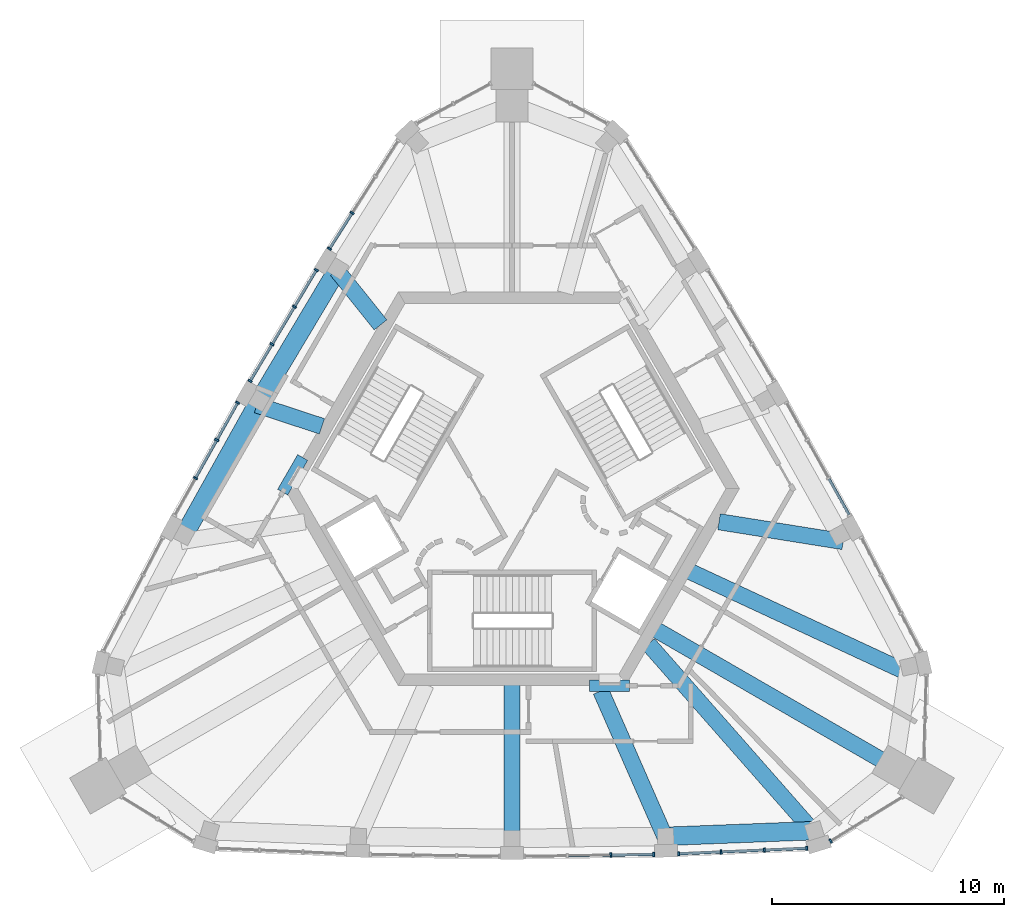
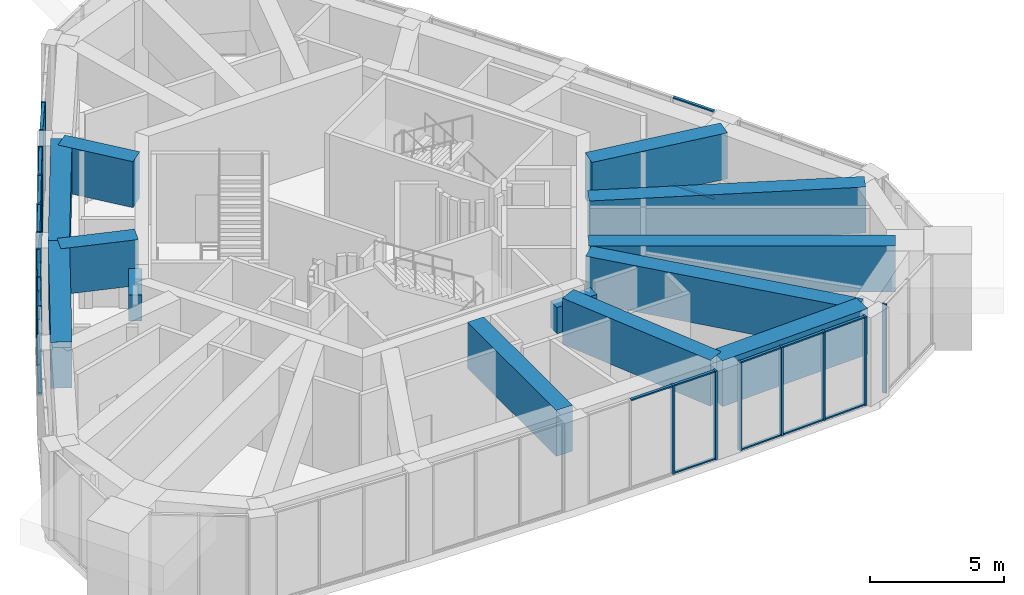
# One storey, part 3 of 11: 39 members, 13 beams, 7 elements without a shape of their own.
"""IFC4 building model written with IfcOpenShell, lengths in metres."""

import ifcopenshell
import ifcopenshell.guid

model = None  # the IFC model being written
_history = None  # IfcOwnerHistory: only IFC2X3 demands one
_inside = {}  # id of a spatial element -> (the spatial element, [elements in it])
_under = {}  # id of a project, library or spatial element -> (it, [spatial elements below it])
_declared = {}  # id of a project -> (the project, [libraries it declares])
_typed = {}  # id of a type object -> (the type object, [elements of that type])
_made_of = {}  # id of a material, layer set ... -> (it, [elements and type objects made of it])


def new_model(schema):
    """Start an empty IFC model of exactly this schema.

    Asked for "IFC4X3", IfcOpenShell would pick the latest addendum, in which some entities
    have other attributes; the version numbers below select the first issue.
    IFC2X3 requires an IfcOwnerHistory on every rooted entity: one is made here for all.
    """
    global model, _history
    if schema == "IFC4X3":
        model = ifcopenshell.file(schema_version=(4, 3, 0, 0))
    else:
        model = ifcopenshell.file(schema=schema)
    _inside.clear()
    _under.clear()
    _declared.clear()
    _typed.clear()
    _made_of.clear()
    _history = None
    if model.schema == "IFC2X3":
        org = make("IfcOrganization", Name="unknown")
        user = make(
            "IfcPersonAndOrganization",
            ThePerson=make("IfcPerson", FamilyName="unknown"),
            TheOrganization=org,
        )
        app = make(
            "IfcApplication",
            ApplicationDeveloper=org,
            Version="unknown",
            ApplicationFullName="unknown",
            ApplicationIdentifier="unknown",
        )
        _history = make(
            "IfcOwnerHistory",
            OwningUser=user,
            OwningApplication=app,
            ChangeAction="ADDED",
            CreationDate=0,
        )
    return model


def make(cls, **values):
    """One entity of the class cls with the attributes given. An attribute that is None is left unset."""
    return model.create_entity(
        cls, **{name: value for name, value in values.items() if value is not None}
    )


def rooted(cls, **values):
    """An entity with a GlobalId (a new one), such as an element, a storey or a relation."""
    return make(cls, GlobalId=ifcopenshell.guid.new(), OwnerHistory=_history, **values)


def si_unit(unit_type, name, prefix=None):
    """IfcSIUnit, for example si_unit("LENGTHUNIT", "METRE", prefix="MILLI")."""
    return make("IfcSIUnit", UnitType=unit_type, Prefix=prefix, Name=name)


def assignment(units):
    """IfcUnitAssignment: the units of a project."""
    return None if units is None else make("IfcUnitAssignment", Units=units)


def point(xyz):
    """IfcCartesianPoint."""
    return None if xyz is None else make("IfcCartesianPoint", Coordinates=xyz)


def direction(xyz):
    """IfcDirection."""
    return None if xyz is None else make("IfcDirection", DirectionRatios=xyz)


def frame(location, z_axis=None, x_axis=None):
    """IfcAxis2Placement3D, a coordinate frame: its origin and axes. An axis left out is left unset."""
    return make(
        "IfcAxis2Placement3D",
        Location=point(location),
        Axis=direction(z_axis),
        RefDirection=direction(x_axis),
    )


def frame_2d(location, x_axis=None):
    """IfcAxis2Placement2D, a coordinate frame in the plane: its origin and x axis."""
    return make(
        "IfcAxis2Placement2D", Location=point(location), RefDirection=direction(x_axis)
    )


def origin():
    """The frame at (0, 0, 0) with its axes left unset."""
    return frame((0.0, 0.0, 0.0))


def origin_2d():
    """The frame at (0, 0) in the plane with its x axis left unset."""
    return frame_2d((0.0, 0.0))


def place(relative_to, where):
    """IfcLocalPlacement: puts the frame where relative to a parent placement (None: the world)."""
    return make(
        "IfcLocalPlacement", PlacementRelTo=relative_to, RelativePlacement=where
    )


def context(
    kind, dimensions, precision=None, world=None, true_north=None, identifier=None
):
    """IfcGeometricRepresentationContext, for example the 3D "Model" context."""
    return make(
        "IfcGeometricRepresentationContext",
        ContextIdentifier=identifier,
        ContextType=kind,
        CoordinateSpaceDimension=dimensions,
        Precision=precision,
        WorldCoordinateSystem=world,
        TrueNorth=true_north,
    )


def subcontext(parent, identifier, kind, view, scale=None):
    """IfcGeometricRepresentationSubContext, for example "Body" below "Model"."""
    return make(
        "IfcGeometricRepresentationSubContext",
        ContextIdentifier=identifier,
        ContextType=kind,
        ParentContext=parent,
        TargetScale=scale,
        TargetView=view,
    )


def project(units=None, contexts=None):
    """IfcProject with its units and contexts."""
    return rooted(
        "IfcProject",
        Name="project",
        RepresentationContexts=contexts,
        UnitsInContext=assignment(units),
    )


def spatial(cls, under=None, at=None, **own):
    """A site, building, storey or space (cls), placed at a placement, below another one or the project."""
    s = rooted(cls, ObjectPlacement=at, **own)
    if under is not None:
        _under.setdefault(under.id(), (under, []))[1].append(s)
    return s


def profile(cls, at=None, kind="AREA", **sizes):
    """A parametric profile (cls). Its sizes go by their IFC names, for example OverallWidth=200.0."""
    return make(cls, ProfileType=kind, Position=at, **sizes)


def rectangle(**sizes):
    """IfcRectangleProfileDef."""
    return profile("IfcRectangleProfileDef", **sizes)


def extrude(swept, where, along, depth):
    """IfcExtrudedAreaSolid: the profile swept, set in the frame where, extruded along a direction by depth."""
    return make(
        "IfcExtrudedAreaSolid",
        SweptArea=swept,
        Position=where,
        ExtrudedDirection=direction(along),
        Depth=depth,
    )


def shape(context_of_items, identifier, shape_type, items):
    """IfcShapeRepresentation: the items that make up one representation, for example the "Body"."""
    return make(
        "IfcShapeRepresentation",
        ContextOfItems=context_of_items,
        RepresentationIdentifier=identifier,
        RepresentationType=shape_type,
        Items=items,
    )


def material(Name=None, Category=None):
    """IfcMaterial."""
    return make("IfcMaterial", Name=Name, Category=Category)


def material_profile(
    of_material, cross_section, Name=None, Category=None, Priority=None
):
    """IfcMaterialProfile: a cross section and its material."""
    return make(
        "IfcMaterialProfile",
        Name=Name,
        Material=of_material,
        Profile=cross_section,
        Priority=Priority,
        Category=Category,
    )


def profile_set(profiles, Name=None, composite=None):
    """IfcMaterialProfileSet."""
    return make(
        "IfcMaterialProfileSet",
        Name=Name,
        MaterialProfiles=profiles,
        CompositeProfile=composite,
    )


def made_of(thing, what):
    """Note that an element or type object is made of a material, layer set ...; save() writes the relation."""
    if what is not None:
        _made_of.setdefault(what.id(), (what, []))[1].append(thing)
    return thing


def type_object(cls, material=None, **own):
    """A type object (cls), such as IfcWallType, which elements share."""
    return made_of(rooted(cls, **own), material)


def element(
    cls,
    number,
    at=None,
    inside=None,
    cuts=None,
    type_object=None,
    material=None,
    context=None,
    identifier="Body",
    shape_type=None,
    held_by="IfcProductDefinitionShape",
    body=None,
    shapes=None,
    **own,
):
    """One element of the class cls, such as IfcWall. Its Tag is "e" and its number.

    at: its placement. inside: the storey or other place that contains it. cuts: it is an
    opening in that element (IfcRelVoidsElement). A single representation is given by context,
    identifier, shape_type and body (its items); several are given by shapes. held_by: the class
    of the entity that holds the representations. save() writes the other relations.
    """
    e = rooted(cls, Tag="e%d" % number, ObjectPlacement=at, **own)
    if body is not None:
        shapes = [shape(context, identifier, shape_type, body)]
    if shapes is not None:
        e.Representation = make(held_by, Representations=shapes)
    if inside is not None:
        _inside.setdefault(inside.id(), (inside, []))[1].append(e)
    if cuts is not None:
        rooted(
            "IfcRelVoidsElement", RelatingBuildingElement=cuts, RelatedOpeningElement=e
        )
    if type_object is not None:
        _typed.setdefault(type_object.id(), (type_object, []))[1].append(e)
    return made_of(e, material)


def aggregate(whole, parts):
    """IfcRelAggregates: a whole, such as a stair, and the parts it consists of."""
    return rooted("IfcRelAggregates", RelatingObject=whole, RelatedObjects=parts)


def save(model, path):
    """Write the relations noted so far, then the file.

    IfcRelAggregates (storeys below a building ...), IfcRelContainedInSpatialStructure (elements
    in a storey), IfcRelDefinesByType, IfcRelAssociatesMaterial and IfcRelDeclares: one each for
    every whole, place, type object, material and project.
    """
    for whole, parts in _under.values():
        aggregate(whole, parts)
    for where, things in _inside.values():
        rooted(
            "IfcRelContainedInSpatialStructure",
            RelatedElements=things,
            RelatingStructure=where,
        )
    for kind, things in _typed.values():
        rooted("IfcRelDefinesByType", RelatedObjects=things, RelatingType=kind)
    for what, things in _made_of.values():
        rooted("IfcRelAssociatesMaterial", RelatedObjects=things, RelatingMaterial=what)
    for by, libraries in _declared.values():
        rooted("IfcRelDeclares", RelatingContext=by, RelatedDefinitions=libraries)
    model.write(path)


model = new_model("IFC4")

# Units and contexts
model_context = context("Model", 3, precision=1e-05, world=origin(), true_north=direction((0.0, 1.0)))
body_context = subcontext(model_context, "Body", "Model", "MODEL_VIEW")
ifc_project = project(units=[si_unit("LENGTHUNIT", "METRE"), si_unit("AREAUNIT", "SQUARE_METRE"), si_unit("VOLUMEUNIT", "CUBIC_METRE"), si_unit("PLANEANGLEUNIT", "RADIAN"), si_unit("MASSUNIT", "GRAM", prefix="KILO")], contexts=[model_context])

# Site, building, storey
site_placement = place(None, origin())
site = spatial("IfcSite", under=ifc_project, at=site_placement, CompositionType="ELEMENT")
building_placement = place(site_placement, origin())
building = spatial("IfcBuilding", under=site, at=building_placement, Name="Entoto Arch Interchange Tower", CompositionType="ELEMENT")
storey_placement = place(building_placement, frame((0.0, 0.0, 353.89990234375)))
storey = spatial("IfcBuildingStorey", under=building, at=storey_placement, Name="L83", CompositionType="ELEMENT", Elevation=353.89990234375)

# Beams
ifc_material_1 = material(Name="Concrete C40/50", Category="concrete")
ifc_material_profile_1 = material_profile(ifc_material_1, rectangle(XDim=0.5, YDim=1.199951171875, at=origin_2d()))
ifc_profile_set_1 = profile_set([ifc_material_profile_1], Name="Concrete C40/50")
beam_type_1 = type_object("IfcBeamType", Name="Coupling beam RC 500x1200 C40/50", PredefinedType="BEAM", material=ifc_profile_set_1)
beam_1_placement = place(storey_placement, frame((-9.035888671875, 3.84912109375, 3.0), z_axis=(-0.500105721196, -0.865964357019, 0.0), x_axis=(0.865964357019, -0.500105721196, 0.0)))
element("IfcBeam", 1, at=beam_1_placement, inside=storey, type_object=beam_type_1, Name="Coupling beam NW L83", PredefinedType="BEAM", context=body_context, shape_type="SweptSolid", body=[
    extrude(rectangle(XDim=0.5, YDim=1.199951171875, at=origin_2d()), origin(), (0.0, 0.0, 1.0), 1.727783203125),
])
beam_2_placement = place(storey_placement, frame((3.35009765625, -6.0, 3.0), z_axis=(1.0, 0.0, 0.0), x_axis=(0.0, 1.0, 0.0)))
element("IfcBeam", 2, at=beam_2_placement, inside=storey, type_object=beam_type_1, Name="Coupling beam S L83", PredefinedType="BEAM", context=body_context, shape_type="SweptSolid", body=[
    extrude(rectangle(XDim=0.5, YDim=1.199951171875, at=origin_2d()), origin(), (0.0, 0.0, 1.0), 1.725830078125),
])
ifc_material_profile_2 = material_profile(ifc_material_1, rectangle(XDim=0.800048828125, YDim=2.10009765625, at=origin_2d()))
ifc_profile_set_2 = profile_set([ifc_material_profile_2], Name="Concrete C40/50")
beam_type_2 = type_object("IfcBeamType", Name="Crown ring girder RC 800x2100 C40/50", PredefinedType="BEAM", material=ifc_profile_set_2)
beam_3_placement = place(storey_placement, frame((6.634033203125, -12.506103515625, 3.0), z_axis=(0.999272354884, 0.038141326198, 0.0), x_axis=(-0.038141326198, 0.999272354884, 0.0)))
element("IfcBeam", 3, at=beam_3_placement, inside=storey, type_object=beam_type_2, Name="Crown ring girder 04 L83", PredefinedType="BEAM", context=body_context, shape_type="SweptSolid", body=[
    extrude(rectangle(XDim=0.800048828125, YDim=2.10009765625, at=origin_2d()), origin(), (0.0, 0.0, 1.0), 6.426513671875),
])
for number, where, z_axis, x_axis, name in (
    (4, (-7.511962890625, 12.0009765625, 3.0), (-0.512233087574, -0.85884647289, 0.0), (0.85884647289, -0.512233087574, 0.0), "Crown ring girder 14 L83"),
    (5, (-10.912109375, 6.300048828125, 3.0), (-0.487630923437, -0.87304987401, 0.0), (0.87304987401, -0.487630923437, 0.0), "Crown ring girder 15 L83"),
):
    element("IfcBeam", number, at=place(storey_placement, frame(where, z_axis=z_axis, x_axis=x_axis)), inside=storey, type_object=beam_type_2, Name=name, PredefinedType="BEAM", context=body_context, shape_type="SweptSolid", body=[
        extrude(rectangle(XDim=0.800048828125, YDim=2.10009765625, at=origin_2d()), origin(), (0.0, 0.0, 1.0), 6.637939453125),
    ])
ifc_material_profile_3 = material_profile(ifc_material_1, rectangle(XDim=0.699951171875, YDim=2.10009765625, at=origin_2d()))
ifc_profile_set_3 = profile_set([ifc_material_profile_3], Name="Concrete C40/50")
beam_type_3 = type_object("IfcBeamType", Name="Crown transfer beam RC 700x2100 C40/50", PredefinedType="BEAM", material=ifc_profile_set_3)
beam_4_placement = place(storey_placement, frame((0.0, -5.949951171875, 3.0), z_axis=(0.0, -1.0, 0.0), x_axis=(1.0, 0.0, 0.0)))
element("IfcBeam", 6, at=beam_4_placement, inside=storey, type_object=beam_type_3, Name="Transfer beam S03 L83", PredefinedType="BEAM", context=body_context, shape_type="SweptSolid", body=[
    extrude(rectangle(XDim=0.699951171875, YDim=2.10009765625, at=origin_2d()), origin(), (0.0, 0.0, 1.0), 6.650146484375),
])
beam_5_placement = place(storey_placement, frame((3.8349609375, -6.22900390625, 3.0), z_axis=(0.402094176994, -0.915598314124, 0.0), x_axis=(0.915598314124, 0.402094176994, 0.0)))
element("IfcBeam", 7, at=beam_5_placement, inside=storey, type_object=beam_type_3, Name="Transfer beam S04 L83", PredefinedType="BEAM", context=body_context, shape_type="SweptSolid", body=[
    extrude(rectangle(XDim=0.699951171875, YDim=2.10009765625, at=origin_2d()), origin(), (0.0, 0.0, 1.0), 6.856689453125),
])
beam_6_placement = place(storey_placement, frame((5.89111328125, -4.200927734375, 3.0), z_axis=(0.660232030784, -0.751061692225, 0.0), x_axis=(0.751061692225, 0.660232030784, 0.0)))
element("IfcBeam", 8, at=beam_6_placement, inside=storey, type_object=beam_type_3, Name="Transfer beam S05 L83", PredefinedType="BEAM", context=body_context, shape_type="SweptSolid", body=[
    extrude(rectangle(XDim=0.699951171875, YDim=2.10009765625, at=origin_2d()), origin(), (0.0, 0.0, 1.0), 10.7353515625),
])
beam_7_placement = place(storey_placement, frame((6.235107421875, -3.60009765625, 3.0), z_axis=(0.866009679343, -0.500027234542, 0.0), x_axis=(0.500027234542, 0.866009679343, 0.0)))
element("IfcBeam", 9, at=beam_7_placement, inside=storey, type_object=beam_type_3, Name="Transfer beam SE1 L83", PredefinedType="BEAM", context=body_context, shape_type="SweptSolid", body=[
    extrude(rectangle(XDim=0.699951171875, YDim=2.10009765625, at=origin_2d()), origin(), (0.0, 0.0, 1.0), 11.487060546875),
])
beam_8_placement = place(storey_placement, frame((7.69189453125, -1.076904296875, 3.0), z_axis=(0.906721321021, -0.42173030008, 0.0), x_axis=(0.42173030008, 0.906721321021, 0.0)))
element("IfcBeam", 10, at=beam_8_placement, inside=storey, type_object=beam_type_3, Name="Transfer beam NE01 L83", PredefinedType="BEAM", context=body_context, shape_type="SweptSolid", body=[
    extrude(rectangle(XDim=0.699951171875, YDim=2.10009765625, at=origin_2d()), origin(), (0.0, 0.0, 1.0), 10.38134765625),
])
beam_9_placement = place(storey_placement, frame((8.93798828125, 1.074951171875, 3.0), z_axis=(0.987520764966, -0.157488852813, 0.0), x_axis=(0.157488852813, 0.987520764966, 0.0)))
element("IfcBeam", 11, at=beam_9_placement, inside=storey, type_object=beam_type_3, Name="Transfer beam NE02 L83", PredefinedType="BEAM", context=body_context, shape_type="SweptSolid", body=[
    extrude(rectangle(XDim=0.699951171875, YDim=2.10009765625, at=origin_2d()), origin(), (0.0, 0.0, 1.0), 5.4287109375),
])
beam_10_placement = place(storey_placement, frame((-5.676025390625, 9.574951171875, 3.0), z_axis=(-0.62561453943, 0.780132327271, 0.0), x_axis=(-0.780132327271, -0.62561453943, 0.0)))
element("IfcBeam", 12, at=beam_10_placement, inside=storey, type_object=beam_type_3, Name="Transfer beam NW02 L83", PredefinedType="BEAM", context=body_context, shape_type="SweptSolid", body=[
    extrude(rectangle(XDim=0.699951171875, YDim=2.10009765625, at=origin_2d()), origin(), (0.0, 0.0, 1.0), 3.010009765625),
])
beam_11_placement = place(storey_placement, frame((-8.202880859375, 5.194091796875, 3.0), z_axis=(-0.950011473075, 0.312214991673, 0.0), x_axis=(-0.312214991673, -0.950011473075, 0.0)))
element("IfcBeam", 13, at=beam_11_placement, inside=storey, type_object=beam_type_3, Name="Transfer beam NW03 L83", PredefinedType="BEAM", context=body_context, shape_type="SweptSolid", body=[
    extrude(rectangle(XDim=0.699951171875, YDim=2.10009765625, at=origin_2d()), origin(), (0.0, 0.0, 1.0), 2.958984375),
])

# Curtain wall, members
ifc_material_2 = material(Name="Aluminium, anodised", Category="aluminium")
curtain_wall_type = type_object("IfcCurtainWallType", Name="CURTAIN WALL CROWN LANTERN", PredefinedType="NOTDEFINED", material=ifc_material_2)
curtain_wall_1_placement = place(storey_placement, origin())
curtain_wall_1 = element("IfcCurtainWall", 14, at=curtain_wall_1_placement, inside=storey, type_object=curtain_wall_type, Name="Crown Lantern glazing S-03 L83", PredefinedType="NOTDEFINED")
ifc_material_profile_4 = material_profile(ifc_material_2, rectangle(XDim=0.179931640625, YDim=0.080078125, at=origin_2d()))
ifc_profile_set_4 = profile_set([ifc_material_profile_4], Name="Aluminium, anodised")
member_type_1 = type_object("IfcMemberType", Name="MULLION CROWN LANTERN 80x180", PredefinedType="MULLION", material=ifc_profile_set_4)
member_1_placement = place(storey_placement, frame((4.27099609375, -13.314697265625, 0.0), z_axis=(0.0, 0.0, 1.0), x_axis=(-0.014137858678, 0.999900055482, 0.0)))
member_1 = element("IfcMember", 15, at=member_1_placement, type_object=member_type_1, Name="CWL mullion 3", PredefinedType="MULLION", context=body_context, shape_type="SweptSolid", body=[
    extrude(rectangle(XDim=0.179931640625, YDim=0.080078125, at=origin_2d()), origin(), (0.0, 0.0, 1.0), 4.050048828125),
])
member_2_placement = place(storey_placement, frame((6.116943359375, -13.28857421875, 0.0), z_axis=(0.0, 0.0, 1.0), x_axis=(-0.014137858678, 0.999900055482, 0.0)))
member_2 = element("IfcMember", 16, at=member_2_placement, type_object=member_type_1, Name="CWL mullion 4", PredefinedType="MULLION", context=body_context, shape_type="SweptSolid", body=[
    extrude(rectangle(XDim=0.179931640625, YDim=0.080078125, at=origin_2d()), origin(), (0.0, 0.0, 1.0), 4.050048828125),
])

curtain_wall_2_placement = place(storey_placement, origin())
curtain_wall_2 = element("IfcCurtainWall", 17, at=curtain_wall_2_placement, inside=storey, type_object=curtain_wall_type, Name="Crown Lantern glazing S-04 L83", PredefinedType="NOTDEFINED")
member_3_placement = place(storey_placement, frame((7.195068359375, -13.25830078125, 0.0), z_axis=(0.0, 0.0, 1.0), x_axis=(-0.042726449388, 0.999086808302, 0.0)))
member_3 = element("IfcMember", 18, at=member_3_placement, type_object=member_type_1, Name="CWL mullion 1", PredefinedType="MULLION", context=body_context, shape_type="SweptSolid", body=[
    extrude(rectangle(XDim=0.179931640625, YDim=0.080078125, at=origin_2d()), origin(), (0.0, 0.0, 1.0), 4.050048828125),
])
member_4_placement = place(storey_placement, frame((9.025634765625, -13.179931640625, 0.0), z_axis=(0.0, 0.0, 1.0), x_axis=(-0.042726449388, 0.999086808302, 0.0)))
member_4 = element("IfcMember", 19, at=member_4_placement, type_object=member_type_1, Name="CWL mullion 2", PredefinedType="MULLION", context=body_context, shape_type="SweptSolid", body=[
    extrude(rectangle(XDim=0.179931640625, YDim=0.080078125, at=origin_2d()), origin(), (0.0, 0.0, 1.0), 4.050048828125),
])
member_5_placement = place(storey_placement, frame((10.896240234375, -13.10009765625, 0.0), z_axis=(0.0, 0.0, 1.0), x_axis=(-0.042726449388, 0.999086808302, 0.0)))
member_5 = element("IfcMember", 20, at=member_5_placement, type_object=member_type_1, Name="CWL mullion 3", PredefinedType="MULLION", context=body_context, shape_type="SweptSolid", body=[
    extrude(rectangle(XDim=0.179931640625, YDim=0.080078125, at=origin_2d()), origin(), (0.0, 0.0, 1.0), 4.050048828125),
])
member_6_placement = place(storey_placement, frame((12.72705078125, -13.021728515625, 0.0), z_axis=(0.0, 0.0, 1.0), x_axis=(-0.042726449388, 0.999086808302, 0.0)))
member_6 = element("IfcMember", 21, at=member_6_placement, type_object=member_type_1, Name="CWL mullion 4", PredefinedType="MULLION", context=body_context, shape_type="SweptSolid", body=[
    extrude(rectangle(XDim=0.179931640625, YDim=0.080078125, at=origin_2d()), origin(), (0.0, 0.0, 1.0), 4.050048828125),
])

# Curtain wall, member
curtain_wall_3_placement = place(storey_placement, origin())
curtain_wall_3 = element("IfcCurtainWall", 22, at=curtain_wall_3_placement, inside=storey, type_object=curtain_wall_type, Name="Crown Lantern glazing SE-01 L83", PredefinedType="NOTDEFINED")
member_7_placement = place(storey_placement, frame((13.755126953125, -12.70703125, 0.0), z_axis=(0.0, 0.0, 1.0), x_axis=(-0.524217783401, 0.851584238679, 0.0)))
member_7 = element("IfcMember", 23, at=member_7_placement, type_object=member_type_1, Name="CWL mullion 1", PredefinedType="MULLION", context=body_context, shape_type="SweptSolid", body=[
    extrude(rectangle(XDim=0.179931640625, YDim=0.080078125, at=origin_2d()), origin(), (0.0, 0.0, 1.0), 4.050048828125),
])
aggregate(curtain_wall_3, [member_7])

# Curtain wall, members
curtain_wall_4_placement = place(storey_placement, origin())
curtain_wall_4 = element("IfcCurtainWall", 24, at=curtain_wall_4_placement, inside=storey, type_object=curtain_wall_type, Name="Crown Lantern glazing NW-01 L83", PredefinedType="NOTDEFINED")
member_8_placement = place(storey_placement, frame((-6.900390625, 14.407958984375, 0.0), z_axis=(0.0, 0.0, 1.0), x_axis=(0.843940140755, -0.536437357781, 0.0)))
member_8 = element("IfcMember", 25, at=member_8_placement, type_object=member_type_1, Name="CWL mullion 3", PredefinedType="MULLION", context=body_context, shape_type="SweptSolid", body=[
    extrude(rectangle(XDim=0.179931640625, YDim=0.080078125, at=origin_2d()), origin(), (0.0, 0.0, 1.0), 4.050048828125),
])
member_9_placement = place(storey_placement, frame((-7.882568359375, 12.86279296875, 0.0), z_axis=(0.0, 0.0, 1.0), x_axis=(0.843940140755, -0.536437357781, 0.0)))
member_9 = element("IfcMember", 26, at=member_9_placement, type_object=member_type_1, Name="CWL mullion 4", PredefinedType="MULLION", context=body_context, shape_type="SweptSolid", body=[
    extrude(rectangle(XDim=0.179931640625, YDim=0.080078125, at=origin_2d()), origin(), (0.0, 0.0, 1.0), 4.050048828125),
])

curtain_wall_5_placement = place(storey_placement, origin())
curtain_wall_5 = element("IfcCurtainWall", 27, at=curtain_wall_5_placement, inside=storey, type_object=curtain_wall_type, Name="Crown Lantern glazing NW-02 L83", PredefinedType="NOTDEFINED")
member_10_placement = place(storey_placement, frame((-8.447509765625, 11.944580078125, 0.0), z_axis=(0.0, 0.0, 1.0), x_axis=(0.858876754002, -0.512182312692, 0.0)))
member_10 = element("IfcMember", 28, at=member_10_placement, type_object=member_type_1, Name="CWL mullion 1", PredefinedType="MULLION", context=body_context, shape_type="SweptSolid", body=[
    extrude(rectangle(XDim=0.179931640625, YDim=0.080078125, at=origin_2d()), origin(), (0.0, 0.0, 1.0), 4.050048828125),
])
member_11_placement = place(storey_placement, frame((-9.3935546875, 10.35791015625, 0.0), z_axis=(0.0, 0.0, 1.0), x_axis=(0.858876754002, -0.512182312692, 0.0)))
member_11 = element("IfcMember", 29, at=member_11_placement, type_object=member_type_1, Name="CWL mullion 2", PredefinedType="MULLION", context=body_context, shape_type="SweptSolid", body=[
    extrude(rectangle(XDim=0.179931640625, YDim=0.080078125, at=origin_2d()), origin(), (0.0, 0.0, 1.0), 4.050048828125),
])
member_12_placement = place(storey_placement, frame((-10.3603515625, 8.737060546875, 0.0), z_axis=(0.0, 0.0, 1.0), x_axis=(0.858876754002, -0.512182312692, 0.0)))
member_12 = element("IfcMember", 30, at=member_12_placement, type_object=member_type_1, Name="CWL mullion 3", PredefinedType="MULLION", context=body_context, shape_type="SweptSolid", body=[
    extrude(rectangle(XDim=0.179931640625, YDim=0.080078125, at=origin_2d()), origin(), (0.0, 0.0, 1.0), 4.050048828125),
])
member_13_placement = place(storey_placement, frame((-11.306396484375, 7.150390625, 0.0), z_axis=(0.0, 0.0, 1.0), x_axis=(0.858876754002, -0.512182312692, 0.0)))
member_13 = element("IfcMember", 31, at=member_13_placement, type_object=member_type_1, Name="CWL mullion 4", PredefinedType="MULLION", context=body_context, shape_type="SweptSolid", body=[
    extrude(rectangle(XDim=0.179931640625, YDim=0.080078125, at=origin_2d()), origin(), (0.0, 0.0, 1.0), 4.050048828125),
])

curtain_wall_6_placement = place(storey_placement, origin())
curtain_wall_6 = element("IfcCurtainWall", 32, at=curtain_wall_6_placement, inside=storey, type_object=curtain_wall_type, Name="Crown Lantern glazing NW-03 L83", PredefinedType="NOTDEFINED")
member_14_placement = place(storey_placement, frame((-11.845458984375, 6.217041015625, 0.0), z_axis=(0.0, 0.0, 1.0), x_axis=(0.872963388875, -0.487785733375, 0.0)))
member_14 = element("IfcMember", 33, at=member_14_placement, type_object=member_type_1, Name="CWL mullion 1", PredefinedType="MULLION", context=body_context, shape_type="SweptSolid", body=[
    extrude(rectangle(XDim=0.179931640625, YDim=0.080078125, at=origin_2d()), origin(), (0.0, 0.0, 1.0), 4.050048828125),
])
member_15_placement = place(storey_placement, frame((-12.74658203125, 4.604248046875, 0.0), z_axis=(0.0, 0.0, 1.0), x_axis=(0.872963388875, -0.487785733375, 0.0)))
member_15 = element("IfcMember", 34, at=member_15_placement, type_object=member_type_1, Name="CWL mullion 2", PredefinedType="MULLION", context=body_context, shape_type="SweptSolid", body=[
    extrude(rectangle(XDim=0.179931640625, YDim=0.080078125, at=origin_2d()), origin(), (0.0, 0.0, 1.0), 4.050048828125),
])
member_16_placement = place(storey_placement, frame((-13.667236328125, 2.956787109375, 0.0), z_axis=(0.0, 0.0, 1.0), x_axis=(0.872963388875, -0.487785733375, 0.0)))
member_16 = element("IfcMember", 35, at=member_16_placement, type_object=member_type_1, Name="CWL mullion 3", PredefinedType="MULLION", context=body_context, shape_type="SweptSolid", body=[
    extrude(rectangle(XDim=0.179931640625, YDim=0.080078125, at=origin_2d()), origin(), (0.0, 0.0, 1.0), 4.050048828125),
])

# Member
ifc_material_profile_5 = material_profile(ifc_material_2, rectangle(XDim=0.1201171875, YDim=0.06005859375, at=origin_2d()))
ifc_profile_set_5 = profile_set([ifc_material_profile_5], Name="Aluminium, anodised")
member_type_2 = type_object("IfcMemberType", Name="TRANSOM CROWN LANTERN 60x120", PredefinedType="USERDEFINED", material=ifc_profile_set_5)
member_17_placement = place(storey_placement, frame((2.425048828125, -13.3408203125, 4.02001953125), z_axis=(0.999899267007, 0.014193513997, 0.0), x_axis=(-0.014193513997, 0.999899267007, 0.0)))
member_17 = element("IfcMember", 36, at=member_17_placement, type_object=member_type_2, Name="CWL transom 2.2", ObjectType="TRANSOM", PredefinedType="USERDEFINED", context=body_context, shape_type="SweptSolid", body=[
    extrude(rectangle(XDim=0.1201171875, YDim=0.06005859375, at=origin_2d()), origin(), (0.0, 0.0, 1.0), 1.80615234375),
])

member_18_placement = place(storey_placement, frame((4.31103515625, -13.314208984375, 0.030029296875), z_axis=(0.999898622523, 0.014238843926, 0.0), x_axis=(-0.014238843926, 0.999898622523, 0.0)))
member_18 = element("IfcMember", 37, at=member_18_placement, type_object=member_type_2, Name="CWL transom 3.1", ObjectType="TRANSOM", PredefinedType="USERDEFINED", context=body_context, shape_type="SweptSolid", body=[
    extrude(rectangle(XDim=0.1201171875, YDim=0.06005859375, at=origin_2d()), origin(), (0.0, 0.0, 1.0), 1.76611328125),
])

member_19_placement = place(storey_placement, frame((4.31103515625, -13.314208984375, 4.02001953125), z_axis=(0.999898622523, 0.014238843926, 0.0), x_axis=(-0.014238843926, 0.999898622523, 0.0)))
member_19 = element("IfcMember", 38, at=member_19_placement, type_object=member_type_2, Name="CWL transom 3.2", ObjectType="TRANSOM", PredefinedType="USERDEFINED", context=body_context, shape_type="SweptSolid", body=[
    extrude(rectangle(XDim=0.1201171875, YDim=0.06005859375, at=origin_2d()), origin(), (0.0, 0.0, 1.0), 1.76611328125),
])

aggregate(curtain_wall_1, [member_1, member_2, member_17, member_18, member_19])

member_20_placement = place(storey_placement, frame((7.23486328125, -13.256591796875, 0.030029296875), z_axis=(0.99908485307, 0.042772144735, 0.0), x_axis=(-0.042772144735, 0.99908485307, 0.0)))
member_20 = element("IfcMember", 39, at=member_20_placement, type_object=member_type_2, Name="CWL transom 1.1", ObjectType="TRANSOM", PredefinedType="USERDEFINED", context=body_context, shape_type="SweptSolid", body=[
    extrude(rectangle(XDim=0.1201171875, YDim=0.06005859375, at=origin_2d()), origin(), (0.0, 0.0, 1.0), 1.75244140625),
])

member_21_placement = place(storey_placement, frame((7.23486328125, -13.256591796875, 4.02001953125), z_axis=(0.99908485307, 0.042772144735, 0.0), x_axis=(-0.042772144735, 0.99908485307, 0.0)))
member_21 = element("IfcMember", 40, at=member_21_placement, type_object=member_type_2, Name="CWL transom 1.2", ObjectType="TRANSOM", PredefinedType="USERDEFINED", context=body_context, shape_type="SweptSolid", body=[
    extrude(rectangle(XDim=0.1201171875, YDim=0.06005859375, at=origin_2d()), origin(), (0.0, 0.0, 1.0), 1.75244140625),
])

member_22_placement = place(storey_placement, frame((9.065673828125, -13.17822265625, 0.030029296875), z_axis=(0.999090786597, 0.042633321909, 0.0), x_axis=(-0.042633321909, 0.999090786597, 0.0)))
member_22 = element("IfcMember", 41, at=member_22_placement, type_object=member_type_2, Name="CWL transom 2.1", ObjectType="TRANSOM", PredefinedType="USERDEFINED", context=body_context, shape_type="SweptSolid", body=[
    extrude(rectangle(XDim=0.1201171875, YDim=0.06005859375, at=origin_2d()), origin(), (0.0, 0.0, 1.0), 1.79248046875),
])

member_23_placement = place(storey_placement, frame((9.065673828125, -13.17822265625, 4.02001953125), z_axis=(0.999090786597, 0.042633321909, 0.0), x_axis=(-0.042633321909, 0.999090786597, 0.0)))
member_23 = element("IfcMember", 42, at=member_23_placement, type_object=member_type_2, Name="CWL transom 2.2", ObjectType="TRANSOM", PredefinedType="USERDEFINED", context=body_context, shape_type="SweptSolid", body=[
    extrude(rectangle(XDim=0.1201171875, YDim=0.06005859375, at=origin_2d()), origin(), (0.0, 0.0, 1.0), 1.79248046875),
])

member_24_placement = place(storey_placement, frame((10.936279296875, -13.098388671875, 0.030029296875), z_axis=(0.99908485307, 0.042772144735, 0.0), x_axis=(-0.042772144735, 0.99908485307, 0.0)))
member_24 = element("IfcMember", 43, at=member_24_placement, type_object=member_type_2, Name="CWL transom 3.1", ObjectType="TRANSOM", PredefinedType="USERDEFINED", context=body_context, shape_type="SweptSolid", body=[
    extrude(rectangle(XDim=0.1201171875, YDim=0.06005859375, at=origin_2d()), origin(), (0.0, 0.0, 1.0), 1.75244140625),
])

member_25_placement = place(storey_placement, frame((10.936279296875, -13.098388671875, 4.02001953125), z_axis=(0.99908485307, 0.042772144735, 0.0), x_axis=(-0.042772144735, 0.99908485307, 0.0)))
member_25 = element("IfcMember", 44, at=member_25_placement, type_object=member_type_2, Name="CWL transom 3.2", ObjectType="TRANSOM", PredefinedType="USERDEFINED", context=body_context, shape_type="SweptSolid", body=[
    extrude(rectangle(XDim=0.1201171875, YDim=0.06005859375, at=origin_2d()), origin(), (0.0, 0.0, 1.0), 1.75244140625),
])

aggregate(curtain_wall_2, [member_3, member_4, member_5, member_6, member_20, member_21, member_22, member_23, member_24, member_25])

# Curtain wall, members
curtain_wall_7_placement = place(storey_placement, origin())
curtain_wall_7 = element("IfcCurtainWall", 45, at=curtain_wall_7_placement, inside=storey, type_object=curtain_wall_type, Name="Crown Lantern glazing NE-02 L83", PredefinedType="NOTDEFINED")
member_26_placement = place(storey_placement, frame((14.549072265625, 1.37890625, 0.030029296875), z_axis=(-0.487904948759, 0.872896764215, 0.0), x_axis=(-0.872896764215, -0.487904948759, 0.0)))
member_26 = element("IfcMember", 46, at=member_26_placement, type_object=member_type_2, Name="CWL transom 1.1", ObjectType="TRANSOM", PredefinedType="USERDEFINED", context=body_context, shape_type="SweptSolid", body=[
    extrude(rectangle(XDim=0.1201171875, YDim=0.06005859375, at=origin_2d()), origin(), (0.0, 0.0, 1.0), 1.767333984375),
])
member_27_placement = place(storey_placement, frame((14.549072265625, 1.37890625, 4.02001953125), z_axis=(-0.487904948759, 0.872896764215, 0.0), x_axis=(-0.872896764215, -0.487904948759, 0.0)))
member_27 = element("IfcMember", 47, at=member_27_placement, type_object=member_type_2, Name="CWL transom 1.2", ObjectType="TRANSOM", PredefinedType="USERDEFINED", context=body_context, shape_type="SweptSolid", body=[
    extrude(rectangle(XDim=0.1201171875, YDim=0.06005859375, at=origin_2d()), origin(), (0.0, 0.0, 1.0), 1.767333984375),
])
aggregate(curtain_wall_7, [member_26, member_27])

# Member
member_28_placement = place(storey_placement, frame((-6.921875, 14.374267578125, 0.030029296875), z_axis=(-0.53638821694, -0.843971374353, 0.0), x_axis=(0.843971374353, -0.53638821694, 0.0)))
member_28 = element("IfcMember", 48, at=member_28_placement, type_object=member_type_2, Name="CWL transom 3.1", ObjectType="TRANSOM", PredefinedType="USERDEFINED", context=body_context, shape_type="SweptSolid", body=[
    extrude(rectangle(XDim=0.1201171875, YDim=0.06005859375, at=origin_2d()), origin(), (0.0, 0.0, 1.0), 1.7509765625),
])

member_29_placement = place(storey_placement, frame((-6.921875, 14.374267578125, 4.02001953125), z_axis=(-0.53638821694, -0.843971374353, 0.0), x_axis=(0.843971374353, -0.53638821694, 0.0)))
member_29 = element("IfcMember", 49, at=member_29_placement, type_object=member_type_2, Name="CWL transom 3.2", ObjectType="TRANSOM", PredefinedType="USERDEFINED", context=body_context, shape_type="SweptSolid", body=[
    extrude(rectangle(XDim=0.1201171875, YDim=0.06005859375, at=origin_2d()), origin(), (0.0, 0.0, 1.0), 1.7509765625),
])

aggregate(curtain_wall_4, [member_8, member_9, member_28, member_29])

member_30_placement = place(storey_placement, frame((-8.468017578125, 11.910400390625, 0.030029296875), z_axis=(-0.512178205966, -0.858879202993, 0.0), x_axis=(0.858879202993, -0.512178205966, 0.0)))
member_30 = element("IfcMember", 50, at=member_30_placement, type_object=member_type_2, Name="CWL transom 1.1", ObjectType="TRANSOM", PredefinedType="USERDEFINED", context=body_context, shape_type="SweptSolid", body=[
    extrude(rectangle(XDim=0.1201171875, YDim=0.06005859375, at=origin_2d()), origin(), (0.0, 0.0, 1.0), 1.767578125),
])

member_31_placement = place(storey_placement, frame((-8.468017578125, 11.910400390625, 4.02001953125), z_axis=(-0.512178205966, -0.858879202993, 0.0), x_axis=(0.858879202993, -0.512178205966, 0.0)))
member_31 = element("IfcMember", 51, at=member_31_placement, type_object=member_type_2, Name="CWL transom 1.2", ObjectType="TRANSOM", PredefinedType="USERDEFINED", context=body_context, shape_type="SweptSolid", body=[
    extrude(rectangle(XDim=0.1201171875, YDim=0.06005859375, at=origin_2d()), origin(), (0.0, 0.0, 1.0), 1.767578125),
])

member_32_placement = place(storey_placement, frame((-9.4140625, 10.32373046875, 0.030029296875), z_axis=(-0.512169937782, -0.858884133532, 0.0), x_axis=(0.858884133532, -0.512169937782, 0.0)))
member_32 = element("IfcMember", 52, at=member_32_placement, type_object=member_type_2, Name="CWL transom 2.1", ObjectType="TRANSOM", PredefinedType="USERDEFINED", context=body_context, shape_type="SweptSolid", body=[
    extrude(rectangle(XDim=0.1201171875, YDim=0.06005859375, at=origin_2d()), origin(), (0.0, 0.0, 1.0), 1.8076171875),
])

member_33_placement = place(storey_placement, frame((-9.4140625, 10.32373046875, 4.02001953125), z_axis=(-0.512169937782, -0.858884133532, 0.0), x_axis=(0.858884133532, -0.512169937782, 0.0)))
member_33 = element("IfcMember", 53, at=member_33_placement, type_object=member_type_2, Name="CWL transom 2.2", ObjectType="TRANSOM", PredefinedType="USERDEFINED", context=body_context, shape_type="SweptSolid", body=[
    extrude(rectangle(XDim=0.1201171875, YDim=0.06005859375, at=origin_2d()), origin(), (0.0, 0.0, 1.0), 1.8076171875),
])

member_34_placement = place(storey_placement, frame((-10.380859375, 8.70263671875, 0.030029296875), z_axis=(-0.512238974242, -0.858842961936, 0.0), x_axis=(0.858842961936, -0.512238974242, 0.0)))
member_34 = element("IfcMember", 54, at=member_34_placement, type_object=member_type_2, Name="CWL transom 3.1", ObjectType="TRANSOM", PredefinedType="USERDEFINED", context=body_context, shape_type="SweptSolid", body=[
    extrude(rectangle(XDim=0.1201171875, YDim=0.06005859375, at=origin_2d()), origin(), (0.0, 0.0, 1.0), 1.767333984375),
])

member_35_placement = place(storey_placement, frame((-10.380859375, 8.70263671875, 4.02001953125), z_axis=(-0.512238974242, -0.858842961936, 0.0), x_axis=(0.858842961936, -0.512238974242, 0.0)))
member_35 = element("IfcMember", 55, at=member_35_placement, type_object=member_type_2, Name="CWL transom 3.2", ObjectType="TRANSOM", PredefinedType="USERDEFINED", context=body_context, shape_type="SweptSolid", body=[
    extrude(rectangle(XDim=0.1201171875, YDim=0.06005859375, at=origin_2d()), origin(), (0.0, 0.0, 1.0), 1.767333984375),
])

aggregate(curtain_wall_5, [member_10, member_11, member_12, member_13, member_30, member_31, member_32, member_33, member_34, member_35])

member_36_placement = place(storey_placement, frame((-11.864990234375, 6.18212890625, 0.030029296875), z_axis=(-0.487740862592, -0.872988459808, 0.0), x_axis=(0.872988459808, -0.487740862592, 0.0)))
member_36 = element("IfcMember", 56, at=member_36_placement, type_object=member_type_2, Name="CWL transom 1.1", ObjectType="TRANSOM", PredefinedType="USERDEFINED", context=body_context, shape_type="SweptSolid", body=[
    extrude(rectangle(XDim=0.1201171875, YDim=0.06005859375, at=origin_2d()), origin(), (0.0, 0.0, 1.0), 1.767578125),
])

member_37_placement = place(storey_placement, frame((-11.864990234375, 6.18212890625, 4.02001953125), z_axis=(-0.487740862592, -0.872988459808, 0.0), x_axis=(0.872988459808, -0.487740862592, 0.0)))
member_37 = element("IfcMember", 57, at=member_37_placement, type_object=member_type_2, Name="CWL transom 1.2", ObjectType="TRANSOM", PredefinedType="USERDEFINED", context=body_context, shape_type="SweptSolid", body=[
    extrude(rectangle(XDim=0.1201171875, YDim=0.06005859375, at=origin_2d()), origin(), (0.0, 0.0, 1.0), 1.767578125),
])

member_38_placement = place(storey_placement, frame((-12.76611328125, 4.5693359375, 0.030029296875), z_axis=(-0.487809246733, -0.872950249901, 0.0), x_axis=(0.872950249901, -0.487809246733, 0.0)))
member_38 = element("IfcMember", 58, at=member_38_placement, type_object=member_type_2, Name="CWL transom 2.1", ObjectType="TRANSOM", PredefinedType="USERDEFINED", context=body_context, shape_type="SweptSolid", body=[
    extrude(rectangle(XDim=0.1201171875, YDim=0.06005859375, at=origin_2d()), origin(), (0.0, 0.0, 1.0), 1.80712890625),
])

member_39_placement = place(storey_placement, frame((-12.76611328125, 4.5693359375, 4.02001953125), z_axis=(-0.487809246733, -0.872950249901, 0.0), x_axis=(0.872950249901, -0.487809246733, 0.0)))
member_39 = element("IfcMember", 59, at=member_39_placement, type_object=member_type_2, Name="CWL transom 2.2", ObjectType="TRANSOM", PredefinedType="USERDEFINED", context=body_context, shape_type="SweptSolid", body=[
    extrude(rectangle(XDim=0.1201171875, YDim=0.06005859375, at=origin_2d()), origin(), (0.0, 0.0, 1.0), 1.80712890625),
])

aggregate(curtain_wall_6, [member_14, member_15, member_16, member_36, member_37, member_38, member_39])

save(model, "model.ifc")
